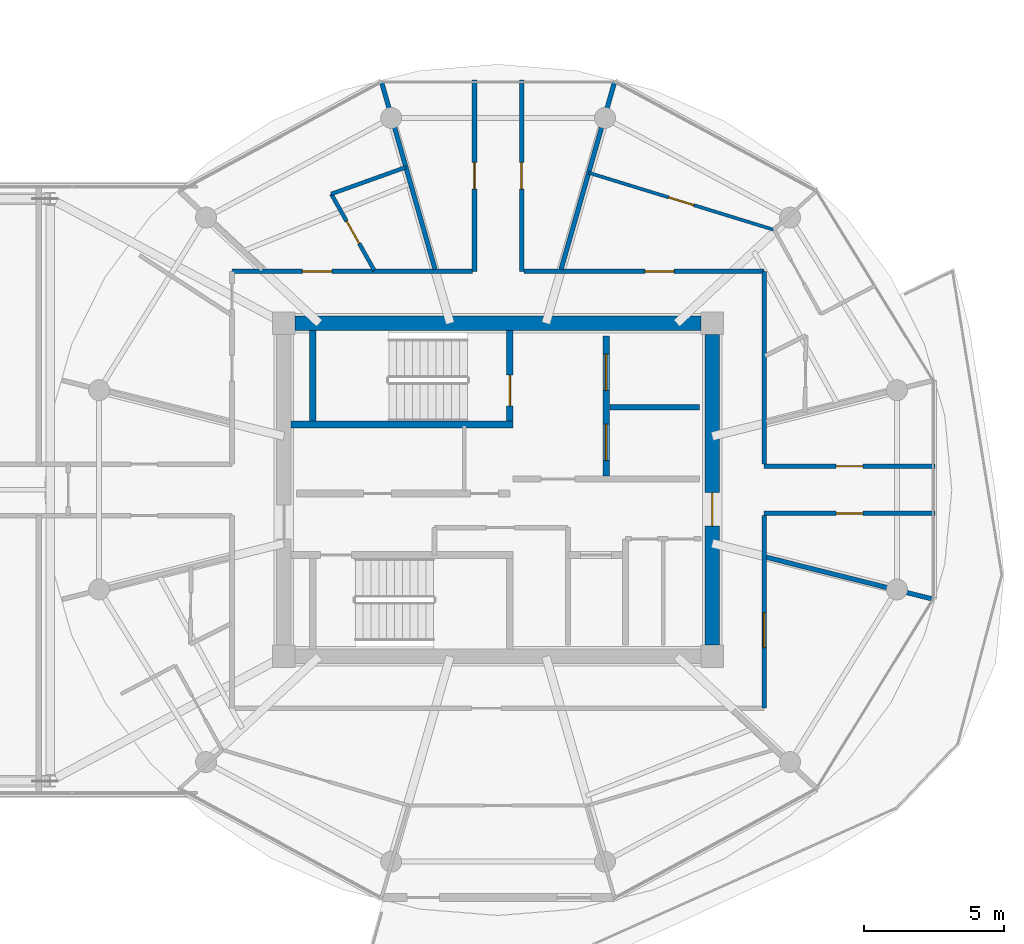
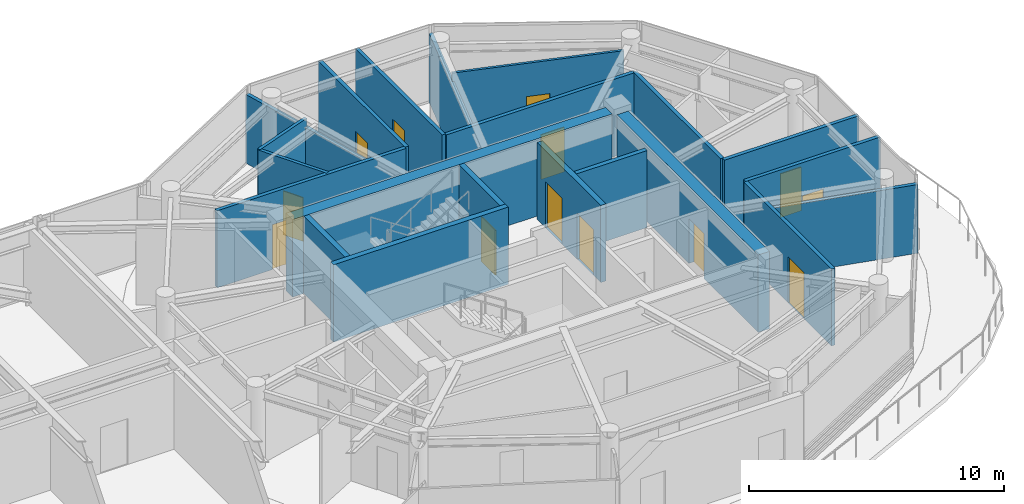
# One storey, part 18 of 24: 21 walls, 13 doors, 13 openings.
"""IFC4 building model written with IfcOpenShell, lengths in metres."""

from ifc_helpers import new_model, si_unit, direction, frame, frame_2d, origin, place, context, subcontext, project, spatial, rectangle, extrude, source, transform, mapped, material, layer, layer_set, type_object, type_shapes, element, fill, save


model = new_model("IFC4")

# Units and contexts
model_context = context("Model", 3, precision=1e-05, world=origin(), true_north=direction((0.0, 1.0)))
body_context = subcontext(model_context, "Body", "Model", "MODEL_VIEW")
ifc_project = project(units=[si_unit("LENGTHUNIT", "METRE"), si_unit("AREAUNIT", "SQUARE_METRE"), si_unit("VOLUMEUNIT", "CUBIC_METRE"), si_unit("PLANEANGLEUNIT", "RADIAN"), si_unit("MASSUNIT", "GRAM", prefix="KILO")], contexts=[model_context])

# Site, building, storey
site_placement = place(None, origin())
site = spatial("IfcSite", under=ifc_project, at=site_placement, CompositionType="ELEMENT")
building_placement = place(site_placement, origin())
building = spatial("IfcBuilding", under=site, at=building_placement, Name="Norrkilde Senior Care Towers", CompositionType="ELEMENT")
storey_placement = place(building_placement, frame((0.0, 0.0, 203.800048828125)))
storey = spatial("IfcBuildingStorey", under=building, at=storey_placement, Name="L63", CompositionType="ELEMENT", Elevation=203.800048828125)

# Wall
ifc_material_1 = material(Name="Concrete C50/60", Category="concrete")
ifc_layer_1 = layer(ifc_material_1, 0.52001953125)
ifc_layer_set_1 = layer_set([ifc_layer_1], Name="Concrete C50/60")
wall_type_1 = type_object("IfcWallType", Name="Core Shear Wall Z4 520", PredefinedType="SHEAR", material=ifc_layer_set_1)
shared_shape_1 = source(origin(), body_context, "Body", "SweptSolid", [
    extrude(rectangle(XDim=14.5, YDim=0.52001953125, at=frame_2d((7.25, 0.0))), origin(), (0.0, 0.0, 1.0), 3.7099609375),
])
wall_1_placement = place(storey_placement, frame((20.75, 5.949951171875, 0.0), z_axis=(0.0, 0.0, 1.0), x_axis=(1.0, 0.0, 0.0)))
element("IfcWall", 1, at=wall_1_placement, inside=storey, type_object=wall_type_1, Name="L63 Core E North Shear Wall", PredefinedType="SHEAR", context=body_context, shape_type="MappedRepresentation", body=[
    mapped(shared_shape_1, transform((0.0, 0.0, 0.0), x_axis=(1.0, 0.0, 0.0), y_axis=(0.0, 1.0, 0.0), z_axis=(0.0, 0.0, 1.0), scale=1.0)),
])

# Wall, opening, door
shared_shape_2 = source(origin(), body_context, "Body", "SweptSolid", [
    extrude(rectangle(XDim=11.10009765625, YDim=0.52001953125, at=frame_2d((5.550048828125, 0.0))), origin(), (0.0, 0.0, 1.0), 3.7099609375),
])
type_shapes(wall_type_1, [shared_shape_1, shared_shape_2])
wall_2_placement = place(storey_placement, frame((35.64990234375, 5.550048828125, 0.0), z_axis=(0.0, 0.0, 1.0), x_axis=(0.0, -1.0, 0.0)))
wall_2 = element("IfcWall", 2, at=wall_2_placement, inside=storey, type_object=wall_type_1, Name="L63 Core E East Shear Wall", PredefinedType="SHEAR", context=body_context, shape_type="MappedRepresentation", body=[
    mapped(shared_shape_2, transform((0.0, 0.0, 0.0), x_axis=(1.0, 0.0, 0.0), y_axis=(0.0, 1.0, 0.0), z_axis=(0.0, 0.0, 1.0), scale=1.0)),
])
opening_1_placement = place(wall_2_placement, frame((5.64990234375, 0.0, 0.0)))
opening_1 = element("IfcOpeningElement", 3, at=opening_1_placement, cuts=wall_2, Name="Opening D-04", PredefinedType="OPENING", context=body_context, shape_type="SweptSolid", body=[
    extrude(rectangle(XDim=1.199951171875, YDim=2.14990234375, at=frame_2d((0.60009765625, 1.074951171875))), frame((0.0, 0.27001953125, 0.0), z_axis=(0.0, -1.0, 0.0), x_axis=(1.0, 0.0, 0.0)), (0.0, 0.0, 1.0), 0.5400390625),
])
ifc_material_2 = material(Name="Galvanised Painted Steel", Category="steel")
door_type_1 = type_object("IfcDoorType", Name="Firefighting Lobby Fire Door 1200x2150", OperationType="NOTDEFINED", PredefinedType="DOOR", material=ifc_material_2)
shared_shape_3 = source(origin(), body_context, "Body", "SweptSolid", [
    extrude(rectangle(XDim=1.199951171875, YDim=2.14990234375, at=frame_2d((0.60009765625, 1.074951171875))), frame((0.0, 0.02490234375, 0.0), z_axis=(0.0, -1.0, 0.0), x_axis=(1.0, 0.0, 0.0)), (0.0, 0.0, 1.0), 0.050048828125),
])
type_shapes(door_type_1, [shared_shape_3])
door_1_placement = place(opening_1_placement, frame((1.199951171875, 0.0, 0.0), z_axis=(0.0, 0.0, 1.0), x_axis=(-1.0, 0.0, 0.0)))
door_1 = element("IfcDoor", 4, at=door_1_placement, inside=storey, type_object=door_type_1, Name="L63 Core E East Portal Door", OperationType="SINGLE_SWING_RIGHT", OverallHeight=2.14990234375, OverallWidth=1.199951171875, PredefinedType="DOOR", context=body_context, shape_type="MappedRepresentation", body=[
    mapped(shared_shape_3, transform((0.0, 0.0, 0.0), x_axis=(1.0, 0.0, 0.0), y_axis=(0.0, 1.0, 0.0), z_axis=(0.0, 0.0, 1.0), scale=1.0)),
])
fill(opening_1, door_1)

# Walls
ifc_material_3 = material(Name="Concrete C45/55", Category="concrete")
ifc_layer_2 = layer(ifc_material_3, 0.239990234375)
ifc_layer_set_2 = layer_set([ifc_layer_2], Name="Concrete C45/55")
wall_type_2 = type_object("IfcWallType", Name="Shaft and Stair Enclosure Wall 240", PredefinedType="PARTITIONING", material=ifc_layer_set_2)
shared_shape_4 = source(origin(), body_context, "Body", "SweptSolid", [
    extrude(rectangle(XDim=7.929931640625, YDim=0.239990234375, at=frame_2d((3.96484375, 0.0))), origin(), (0.0, 0.0, 1.0), 3.7099609375),
])
wall_3_placement = place(storey_placement, frame((20.610107421875, 2.330078125, 0.0), z_axis=(0.0, 0.0, 1.0), x_axis=(1.0, 0.0, 0.0)))
element("IfcWall", 5, at=wall_3_placement, inside=storey, type_object=wall_type_2, Name="WL-INT-L63-E-ST1S", PredefinedType="PARTITIONING", context=body_context, shape_type="MappedRepresentation", body=[
    mapped(shared_shape_4, transform((0.0, 0.0, 0.0), x_axis=(1.0, 0.0, 0.0), y_axis=(0.0, 1.0, 0.0), z_axis=(0.0, 0.0, 1.0), scale=1.0)),
])
shared_shape_5 = source(origin(), body_context, "Body", "SweptSolid", [
    extrude(rectangle(XDim=3.239990234375, YDim=0.239990234375, at=frame_2d((1.6201171875, 0.0))), origin(), (0.0, 0.0, 1.0), 3.7099609375),
])
type_shapes(wall_type_2, [shared_shape_4, shared_shape_5])
wall_4_placement = place(storey_placement, frame((21.3798828125, 2.449951171875, 0.0), z_axis=(0.0, 0.0, 1.0), x_axis=(0.0, 1.0, 0.0)))
element("IfcWall", 6, at=wall_4_placement, inside=storey, type_object=wall_type_2, Name="WL-INT-L63-E-ST1W", PredefinedType="PARTITIONING", context=body_context, shape_type="MappedRepresentation", body=[
    mapped(shared_shape_5, transform((0.0, 0.0, 0.0), x_axis=(1.0, 0.0, 0.0), y_axis=(0.0, 1.0, 0.0), z_axis=(0.0, 0.0, 1.0), scale=1.0)),
])

# Wall, opening, door
wall_5_placement = place(storey_placement, frame((28.419921875, 2.449951171875, 0.0), z_axis=(0.0, 0.0, 1.0), x_axis=(0.0, 1.0, 0.0)))
wall_5 = element("IfcWall", 7, at=wall_5_placement, inside=storey, type_object=wall_type_2, Name="WL-INT-L63-E-ST1E", PredefinedType="PARTITIONING", context=body_context, shape_type="MappedRepresentation", body=[
    mapped(shared_shape_5, transform((0.0, 0.0, 0.0), x_axis=(1.0, 0.0, 0.0), y_axis=(0.0, 1.0, 0.0), z_axis=(0.0, 0.0, 1.0), scale=1.0)),
])
opening_2_placement = place(wall_5_placement, frame((0.550048828125, 0.0, 0.0)))
opening_2 = element("IfcOpeningElement", 8, at=opening_2_placement, cuts=wall_5, Name="Opening D-03", PredefinedType="OPENING", context=body_context, shape_type="SweptSolid", body=[
    extrude(rectangle(XDim=1.10009765625, YDim=2.14990234375, at=frame_2d((0.550048828125, 1.074951171875))), frame((0.0, 0.1298828125, 0.0), z_axis=(0.0, -1.0, 0.0), x_axis=(1.0, 0.0, 0.0)), (0.0, 0.0, 1.0), 0.260009765625),
])
door_type_2 = type_object("IfcDoorType", Name="Stairwell Protected Fire Door 1100x2150", OperationType="NOTDEFINED", PredefinedType="DOOR", material=ifc_material_2)
shared_shape_6 = source(origin(), body_context, "Body", "SweptSolid", [
    extrude(rectangle(XDim=1.10009765625, YDim=2.14990234375, at=frame_2d((0.550048828125, 1.074951171875))), frame((0.0, 0.02490234375, 0.0), z_axis=(0.0, -1.0, 0.0), x_axis=(1.0, 0.0, 0.0)), (0.0, 0.0, 1.0), 0.050048828125),
])
type_shapes(door_type_2, [shared_shape_6])
door_2_placement = place(opening_2_placement, origin())
door_2 = element("IfcDoor", 9, at=door_2_placement, inside=storey, type_object=door_type_2, Name="L63 Stair E1 Fire Door", OperationType="SINGLE_SWING_LEFT", OverallHeight=2.14990234375, OverallWidth=1.10009765625, PredefinedType="DOOR", context=body_context, shape_type="MappedRepresentation", body=[
    mapped(shared_shape_6, transform((0.0, 0.0, 0.0), x_axis=(1.0, 0.0, 0.0), y_axis=(0.0, 1.0, 0.0), z_axis=(0.0, 0.0, 1.0), scale=1.0)),
])
fill(opening_2, door_2)

# Wall, openings, doors
ifc_layer_3 = layer(ifc_material_3, 0.239990234375)
ifc_layer_set_3 = layer_set([ifc_layer_3], Name="Concrete C45/55")
wall_type_3 = type_object("IfcWallType", Name="Lift and Plant Rated Enclosure Partition 240", PredefinedType="PARTITIONING", material=ifc_layer_set_3)
shared_shape_7 = source(origin(), body_context, "Body", "SweptSolid", [
    extrude(rectangle(XDim=5.0, YDim=0.239990234375, at=frame_2d((2.5, 0.0))), origin(), (0.0, 0.0, 1.0), 3.695068359375),
])
type_shapes(wall_type_3, [shared_shape_7])
wall_6_placement = place(storey_placement, frame((31.860107421875, 0.5, 0.0), z_axis=(0.0, 0.0, 1.0), x_axis=(0.0, 1.0, 0.0)))
wall_6 = element("IfcWall", 10, at=wall_6_placement, inside=storey, type_object=wall_type_3, Name="WL-INT-L63-E-FFLE", PredefinedType="PARTITIONING", context=body_context, shape_type="MappedRepresentation", body=[
    mapped(shared_shape_7, transform((0.0, 0.0, 0.0), x_axis=(1.0, 0.0, 0.0), y_axis=(0.0, 1.0, 0.0), z_axis=(0.0, 0.0, 1.0), scale=1.0)),
])
opening_3_placement = place(wall_6_placement, frame((3.050048828125, 0.0, 0.0)))
opening_3 = element("IfcOpeningElement", 11, at=opening_3_placement, cuts=wall_6, Name="Opening LD-02", PredefinedType="OPENING", context=body_context, shape_type="SweptSolid", body=[
    extrude(rectangle(XDim=1.300048828125, YDim=2.199951171875, at=frame_2d((0.64990234375, 1.10009765625))), frame((0.0, 0.1298828125, 0.0), z_axis=(0.0, -1.0, 0.0), x_axis=(1.0, 0.0, 0.0)), (0.0, 0.0, 1.0), 0.260009765625),
])
opening_4_placement = place(wall_6_placement, frame((0.550048828125, 0.0, 0.0)))
opening_4 = element("IfcOpeningElement", 12, at=opening_4_placement, cuts=wall_6, Name="Opening LD-02", PredefinedType="OPENING", context=body_context, shape_type="SweptSolid", body=[
    extrude(rectangle(XDim=1.300048828125, YDim=2.199951171875, at=frame_2d((0.64990234375, 1.10009765625))), frame((0.0, 0.1298828125, 0.0), z_axis=(0.0, -1.0, 0.0), x_axis=(1.0, 0.0, 0.0)), (0.0, 0.0, 1.0), 0.260009765625),
])
ifc_material_4 = material(Name="Stainless Steel", Category="steel")
door_type_3 = type_object("IfcDoorType", Name="Stretcher and FFL Landing Sliding Door 1300x2200", OperationType="NOTDEFINED", PredefinedType="DOOR", material=ifc_material_4)
shared_shape_8 = source(origin(), body_context, "Body", "SweptSolid", [
    extrude(rectangle(XDim=1.300048828125, YDim=2.199951171875, at=frame_2d((0.64990234375, 1.10009765625))), frame((0.0, 0.02490234375, 0.0), z_axis=(0.0, -1.0, 0.0), x_axis=(1.0, 0.0, 0.0)), (0.0, 0.0, 1.0), 0.050048828125),
])
type_shapes(door_type_3, [shared_shape_8])
door_3_placement = place(opening_3_placement, origin())
door_3 = element("IfcDoor", 13, at=door_3_placement, inside=storey, type_object=door_type_3, Name="L63 Firefighting Lift E1 Landing Door", OperationType="SLIDING_TO_LEFT", OverallHeight=2.199951171875, OverallWidth=1.300048828125, PredefinedType="DOOR", context=body_context, shape_type="MappedRepresentation", body=[
    mapped(shared_shape_8, transform((0.0, 0.0, 0.0), x_axis=(1.0, 0.0, 0.0), y_axis=(0.0, 1.0, 0.0), z_axis=(0.0, 0.0, 1.0), scale=1.0)),
])
fill(opening_3, door_3)
door_4_placement = place(opening_4_placement, origin())
door_4 = element("IfcDoor", 14, at=door_4_placement, inside=storey, type_object=door_type_3, Name="L63 Stretcher Lift E1 Landing Door", OperationType="SLIDING_TO_RIGHT", OverallHeight=2.199951171875, OverallWidth=1.300048828125, PredefinedType="DOOR", context=body_context, shape_type="MappedRepresentation", body=[
    mapped(shared_shape_8, transform((0.0, 0.0, 0.0), x_axis=(1.0, 0.0, 0.0), y_axis=(0.0, 1.0, 0.0), z_axis=(0.0, 0.0, 1.0), scale=1.0)),
])
fill(opening_4, door_4)

# Wall
ifc_layer_4 = layer(ifc_material_3, 0.199951171875)
ifc_layer_set_4 = layer_set([ifc_layer_4], Name="Concrete C45/55")
wall_type_4 = type_object("IfcWallType", Name="Shaft Division and Plant Partition 200", PredefinedType="PARTITIONING", material=ifc_layer_set_4)
shared_shape_9 = source(origin(), body_context, "Body", "SweptSolid", [
    extrude(rectangle(XDim=3.199951171875, YDim=0.199951171875, at=frame_2d((1.60009765625, 0.0))), origin(), (0.0, 0.0, 1.0), 3.695068359375),
])
type_shapes(wall_type_4, [shared_shape_9])
wall_7_placement = place(storey_placement, frame((32.0, 2.949951171875, 0.0), z_axis=(0.0, 0.0, 1.0), x_axis=(1.0, 0.0, 0.0)))
element("IfcWall", 15, at=wall_7_placement, inside=storey, type_object=wall_type_4, Name="WL-INT-L63-E-FFLDIV", PredefinedType="PARTITIONING", context=body_context, shape_type="MappedRepresentation", body=[
    mapped(shared_shape_9, transform((0.0, 0.0, 0.0), x_axis=(1.0, 0.0, 0.0), y_axis=(0.0, 1.0, 0.0), z_axis=(0.0, 0.0, 1.0), scale=1.0)),
])

# Wall, opening, door
ifc_material_5 = material(Name="Gypsum Acoustic Board")
ifc_layer_5 = layer(ifc_material_5, 0.1650390625)
ifc_layer_set_5 = layer_set([ifc_layer_5], Name="Gypsum Acoustic Board")
wall_type_5 = type_object("IfcWallType", Name="Corridor Rated Partition 165", PredefinedType="PARTITIONING", material=ifc_layer_set_5)
shared_shape_10 = source(origin(), body_context, "Body", "SweptSolid", [
    extrude(rectangle(XDim=8.580078125, YDim=0.1650390625, at=frame_2d((4.2900390625, 0.0))), origin(), (0.0, 0.0, 1.0), 3.695068359375),
])
wall_8_placement = place(storey_placement, frame((18.5, 7.800048828125, 0.0), z_axis=(0.0, 0.0, 1.0), x_axis=(1.0, 0.0, 0.0)))
wall_8 = element("IfcWall", 16, at=wall_8_placement, inside=storey, type_object=wall_type_5, Name="WL-INT-L63-E-CRW-N-0", PredefinedType="PARTITIONING", context=body_context, shape_type="MappedRepresentation", body=[
    mapped(shared_shape_10, transform((0.0, 0.0, 0.0), x_axis=(1.0, 0.0, 0.0), y_axis=(0.0, 1.0, 0.0), z_axis=(0.0, 0.0, 1.0), scale=1.0)),
])
opening_5_placement = place(wall_8_placement, frame((2.5146484375, 0.0, 0.0)))
opening_5 = element("IfcOpeningElement", 17, at=opening_5_placement, cuts=wall_8, Name="Opening D-06", PredefinedType="OPENING", context=body_context, shape_type="SweptSolid", body=[
    extrude(rectangle(XDim=1.050048828125, YDim=2.14990234375, at=frame_2d((0.52490234375, 1.074951171875))), frame((0.0, 0.092529296875, 0.0), z_axis=(0.0, -1.0, 0.0), x_axis=(1.0, 0.0, 0.0)), (0.0, 0.0, 1.0), 0.18505859375),
])
ifc_material_6 = material(Name="Nordic Ash Timber", Category="wood")
door_type_4 = type_object("IfcDoorType", Name="Apartment Entrance Fire Door 1050x2150", OperationType="NOTDEFINED", PredefinedType="DOOR", material=ifc_material_6)
shared_shape_11 = source(origin(), body_context, "Body", "SweptSolid", [
    extrude(rectangle(XDim=1.050048828125, YDim=2.14990234375, at=frame_2d((0.52490234375, 1.074951171875))), frame((0.0, 0.02490234375, 0.0), z_axis=(0.0, -1.0, 0.0), x_axis=(1.0, 0.0, 0.0)), (0.0, 0.0, 1.0), 0.050048828125),
])
type_shapes(door_type_4, [shared_shape_11])
door_5_placement = place(opening_5_placement, frame((1.050048828125, 0.0, 0.0), z_axis=(0.0, 0.0, 1.0), x_axis=(-1.0, 0.0, 0.0)))
door_5 = element("IfcDoor", 18, at=door_5_placement, inside=storey, type_object=door_type_4, Name="L63 Studio 63B Entrance Door", OperationType="SINGLE_SWING_RIGHT", OverallHeight=2.14990234375, OverallWidth=1.050048828125, PredefinedType="DOOR", context=body_context, shape_type="MappedRepresentation", body=[
    mapped(shared_shape_11, transform((0.0, 0.0, 0.0), x_axis=(1.0, 0.0, 0.0), y_axis=(0.0, 1.0, 0.0), z_axis=(0.0, 0.0, 1.0), scale=1.0)),
])
fill(opening_5, door_5)

wall_9_placement = place(storey_placement, frame((28.919921875, 7.800048828125, 0.0), z_axis=(0.0, 0.0, 1.0), x_axis=(1.0, 0.0, 0.0)))
wall_9 = element("IfcWall", 19, at=wall_9_placement, inside=storey, type_object=wall_type_5, Name="WL-INT-L63-E-CRW-N-1", PredefinedType="PARTITIONING", context=body_context, shape_type="MappedRepresentation", body=[
    mapped(shared_shape_10, transform((0.0, 0.0, 0.0), x_axis=(1.0, 0.0, 0.0), y_axis=(0.0, 1.0, 0.0), z_axis=(0.0, 0.0, 1.0), scale=1.0)),
])
opening_6_placement = place(wall_9_placement, frame((4.31982421875, 0.0, 0.0)))
opening_6 = element("IfcOpeningElement", 20, at=opening_6_placement, cuts=wall_9, Name="Opening D-06", PredefinedType="OPENING", context=body_context, shape_type="SweptSolid", body=[
    extrude(rectangle(XDim=1.050048828125, YDim=2.14990234375, at=frame_2d((0.52490234375, 1.074951171875))), frame((0.0, 0.092529296875, 0.0), z_axis=(0.0, -1.0, 0.0), x_axis=(1.0, 0.0, 0.0)), (0.0, 0.0, 1.0), 0.18505859375),
])
door_6_placement = place(opening_6_placement, frame((1.050048828125, 0.0, 0.0), z_axis=(0.0, 0.0, 1.0), x_axis=(-1.0, 0.0, 0.0)))
door_6 = element("IfcDoor", 21, at=door_6_placement, inside=storey, type_object=door_type_4, Name="Apartment 63A Entrance Door", OperationType="SINGLE_SWING_LEFT", OverallHeight=2.14990234375, OverallWidth=1.050048828125, PredefinedType="DOOR", context=body_context, shape_type="MappedRepresentation", body=[
    mapped(shared_shape_11, transform((0.0, 0.0, 0.0), x_axis=(1.0, 0.0, 0.0), y_axis=(0.0, 1.0, 0.0), z_axis=(0.0, 0.0, 1.0), scale=1.0)),
])
fill(opening_6, door_6)

# Wall
shared_shape_12 = source(origin(), body_context, "Body", "SweptSolid", [
    extrude(rectangle(XDim=6.880126953125, YDim=0.1650390625, at=frame_2d((3.43994140625, 0.0))), origin(), (0.0, 0.0, 1.0), 3.695068359375),
])
wall_10_placement = place(storey_placement, frame((37.5, 7.800048828125, 0.0), z_axis=(0.0, 0.0, 1.0), x_axis=(0.0, -1.0, 0.0)))
element("IfcWall", 22, at=wall_10_placement, inside=storey, type_object=wall_type_5, Name="WL-INT-L63-E-CRW-E-0", PredefinedType="PARTITIONING", context=body_context, shape_type="MappedRepresentation", body=[
    mapped(shared_shape_12, transform((0.0, 0.0, 0.0), x_axis=(1.0, 0.0, 0.0), y_axis=(0.0, 1.0, 0.0), z_axis=(0.0, 0.0, 1.0), scale=1.0)),
])

# Wall, opening, door
wall_11_placement = place(storey_placement, frame((37.5, -0.919921875, 0.0), z_axis=(0.0, 0.0, 1.0), x_axis=(0.0, -1.0, 0.0)))
wall_11 = element("IfcWall", 23, at=wall_11_placement, inside=storey, type_object=wall_type_5, Name="WL-INT-L63-E-CRW-E-1", PredefinedType="PARTITIONING", context=body_context, shape_type="MappedRepresentation", body=[
    mapped(shared_shape_12, transform((0.0, 0.0, 0.0), x_axis=(1.0, 0.0, 0.0), y_axis=(0.0, 1.0, 0.0), z_axis=(0.0, 0.0, 1.0), scale=1.0)),
])
opening_7_placement = place(wall_11_placement, frame((3.46435546875, 0.0, 0.0)))
opening_7 = element("IfcOpeningElement", 24, at=opening_7_placement, cuts=wall_11, Name="Opening D-05", PredefinedType="OPENING", context=body_context, shape_type="SweptSolid", body=[
    extrude(rectangle(XDim=1.25, YDim=2.199951171875, at=frame_2d((0.625, 1.10009765625))), frame((0.0, 0.092529296875, 0.0), z_axis=(0.0, -1.0, 0.0), x_axis=(1.0, 0.0, 0.0)), (0.0, 0.0, 1.0), 0.18505859375),
])
door_type_5 = type_object("IfcDoorType", Name="Care Bedroom Bariatric Door 1250x2200", OperationType="NOTDEFINED", PredefinedType="DOOR", material=ifc_material_6)
shared_shape_13 = source(origin(), body_context, "Body", "SweptSolid", [
    extrude(rectangle(XDim=1.25, YDim=2.199951171875, at=frame_2d((0.625, 1.10009765625))), frame((0.0, 0.02490234375, 0.0), z_axis=(0.0, -1.0, 0.0), x_axis=(1.0, 0.0, 0.0)), (0.0, 0.0, 1.0), 0.050048828125),
])
type_shapes(door_type_5, [shared_shape_13])
door_7_placement = place(opening_7_placement, frame((1.25, 0.0, 0.0), z_axis=(0.0, 0.0, 1.0), x_axis=(-1.0, 0.0, 0.0)))
door_7 = element("IfcDoor", 25, at=door_7_placement, inside=storey, type_object=door_type_5, Name="L63 Senior Wellness Library Lounge Door", OperationType="SINGLE_SWING_LEFT", OverallHeight=2.199951171875, OverallWidth=1.25, PredefinedType="DOOR", context=body_context, shape_type="MappedRepresentation", body=[
    mapped(shared_shape_13, transform((0.0, 0.0, 0.0), x_axis=(1.0, 0.0, 0.0), y_axis=(0.0, 1.0, 0.0), z_axis=(0.0, 0.0, 1.0), scale=1.0)),
])
fill(opening_7, door_7)

# Walls
shared_shape_14 = source(origin(), body_context, "Body", "SweptSolid", [
    extrude(rectangle(XDim=6.973876953125, YDim=0.1650390625, at=frame_2d((3.48681640625, 0.0))), origin(), (0.0, 0.0, 1.0), 3.294921875),
])
for number, where, z_axis, x_axis, name in (
    (26, (30.251220703125, 7.8798828125, 0.0), (0.0, 0.0, 1.0), (0.274707256801, 0.961527910703, 0.0), "WL-INT-L63-E-DEM-02-0"),
    (27, (25.748779296875, 7.8798828125, 0.0), (0.0, 0.0, 1.0), (-0.274707256801, 0.961527910703, 0.0), "WL-INT-L63-E-DEM-03-0"),
):
    element("IfcWall", number, at=place(storey_placement, frame(where, z_axis=z_axis, x_axis=x_axis)), inside=storey, type_object=wall_type_5, Name=name, PredefinedType="PARTITIONING", context=body_context, shape_type="MappedRepresentation", body=[
        mapped(shared_shape_14, transform((0.0, 0.0, 0.0), x_axis=(1.0, 0.0, 0.0), y_axis=(0.0, 1.0, 0.0), z_axis=(0.0, 0.0, 1.0), scale=1.0)),
    ])
shared_shape_15 = source(origin(), body_context, "Body", "SweptSolid", [
    extrude(rectangle(XDim=6.1572265625, YDim=0.1650390625, at=frame_2d((3.07861328125, 0.0))), origin(), (0.0, 0.0, 1.0), 3.294921875),
])
wall_12_placement = place(storey_placement, frame((37.580078125, -2.407470703125, 0.0), z_axis=(0.0, 0.0, 1.0), x_axis=(0.969840867184, -0.243738984038, 0.0)))
element("IfcWall", 28, at=wall_12_placement, inside=storey, type_object=wall_type_5, Name="WL-INT-L63-E-DEM-11-0", PredefinedType="PARTITIONING", context=body_context, shape_type="MappedRepresentation", body=[
    mapped(shared_shape_15, transform((0.0, 0.0, 0.0), x_axis=(1.0, 0.0, 0.0), y_axis=(0.0, 1.0, 0.0), z_axis=(0.0, 0.0, 1.0), scale=1.0)),
])

# Wall, opening, door
shared_shape_16 = source(origin(), body_context, "Body", "SweptSolid", [
    extrude(rectangle(XDim=6.83544921875, YDim=0.1650390625, at=frame_2d((3.417724609375, 0.0))), origin(), (0.0, 0.0, 1.0), 3.695068359375),
])
wall_13_placement = place(storey_placement, frame((27.159912109375, 7.800048828125, 0.0), z_axis=(0.0, 0.0, 1.0), x_axis=(0.0, 1.0, 0.0)))
wall_13 = element("IfcWall", 29, at=wall_13_placement, inside=storey, type_object=wall_type_5, Name="WL-INT-L63-E-SPK-N1-0", PredefinedType="PARTITIONING", context=body_context, shape_type="MappedRepresentation", body=[
    mapped(shared_shape_16, transform((0.0, 0.0, 0.0), x_axis=(1.0, 0.0, 0.0), y_axis=(0.0, 1.0, 0.0), z_axis=(0.0, 0.0, 1.0), scale=1.0)),
])
opening_8_placement = place(wall_13_placement, frame((2.942626953125, 0.0, 0.0)))
opening_8 = element("IfcOpeningElement", 30, at=opening_8_placement, cuts=wall_13, Name="Opening D-07", PredefinedType="OPENING", context=body_context, shape_type="SweptSolid", body=[
    extrude(rectangle(XDim=0.949951171875, YDim=2.10009765625, at=frame_2d((0.47509765625, 1.050048828125))), frame((0.0, 0.092529296875, 0.0), z_axis=(0.0, -1.0, 0.0), x_axis=(1.0, 0.0, 0.0)), (0.0, 0.0, 1.0), 0.18505859375),
])
door_type_6 = type_object("IfcDoorType", Name="Internal Suite Bedroom Door 950x2100", OperationType="NOTDEFINED", PredefinedType="DOOR", material=ifc_material_6)
shared_shape_17 = source(origin(), body_context, "Body", "SweptSolid", [
    extrude(rectangle(XDim=0.949951171875, YDim=2.10009765625, at=frame_2d((0.47509765625, 1.050048828125))), frame((0.0, 0.02490234375, 0.0), z_axis=(0.0, -1.0, 0.0), x_axis=(1.0, 0.0, 0.0)), (0.0, 0.0, 1.0), 0.050048828125),
])
type_shapes(door_type_6, [shared_shape_17])
door_8_placement = place(opening_8_placement, frame((0.949951171875, 0.0, 0.0), z_axis=(0.0, 0.0, 1.0), x_axis=(-1.0, 0.0, 0.0)))
door_8 = element("IfcDoor", 31, at=door_8_placement, inside=storey, type_object=door_type_6, Name="L63 Sun Reading Lounge 3 Door", OperationType="SINGLE_SWING_RIGHT", OverallHeight=2.10009765625, OverallWidth=0.949951171875, PredefinedType="DOOR", context=body_context, shape_type="MappedRepresentation", body=[
    mapped(shared_shape_17, transform((0.0, 0.0, 0.0), x_axis=(1.0, 0.0, 0.0), y_axis=(0.0, 1.0, 0.0), z_axis=(0.0, 0.0, 1.0), scale=1.0)),
])
fill(opening_8, door_8)

wall_14_placement = place(storey_placement, frame((28.840087890625, 14.635498046875, 0.0), z_axis=(0.0, 0.0, 1.0), x_axis=(0.0, -1.0, 0.0)))
wall_14 = element("IfcWall", 32, at=wall_14_placement, inside=storey, type_object=wall_type_5, Name="WL-INT-L63-E-SPK-N2-0", PredefinedType="PARTITIONING", context=body_context, shape_type="MappedRepresentation", body=[
    mapped(shared_shape_16, transform((0.0, 0.0, 0.0), x_axis=(1.0, 0.0, 0.0), y_axis=(0.0, 1.0, 0.0), z_axis=(0.0, 0.0, 1.0), scale=1.0)),
])
opening_9_placement = place(wall_14_placement, frame((2.942626953125, 0.0, 0.0)))
opening_9 = element("IfcOpeningElement", 33, at=opening_9_placement, cuts=wall_14, Name="Opening D-07", PredefinedType="OPENING", context=body_context, shape_type="SweptSolid", body=[
    extrude(rectangle(XDim=0.949951171875, YDim=2.10009765625, at=frame_2d((0.47509765625, 1.050048828125))), frame((0.0, 0.092529296875, 0.0), z_axis=(0.0, -1.0, 0.0), x_axis=(1.0, 0.0, 0.0)), (0.0, 0.0, 1.0), 0.18505859375),
])
door_9_placement = place(opening_9_placement, frame((0.949951171875, 0.0, 0.0), z_axis=(0.0, 0.0, 1.0), x_axis=(-1.0, 0.0, 0.0)))
door_9 = element("IfcDoor", 34, at=door_9_placement, inside=storey, type_object=door_type_6, Name="L63 Sun Reading Lounge 4 Door", OperationType="SINGLE_SWING_LEFT", OverallHeight=2.10009765625, OverallWidth=0.949951171875, PredefinedType="DOOR", context=body_context, shape_type="MappedRepresentation", body=[
    mapped(shared_shape_17, transform((0.0, 0.0, 0.0), x_axis=(1.0, 0.0, 0.0), y_axis=(0.0, 1.0, 0.0), z_axis=(0.0, 0.0, 1.0), scale=1.0)),
])
fill(opening_9, door_9)

shared_shape_18 = source(origin(), body_context, "Body", "SweptSolid", [
    extrude(rectangle(XDim=6.101318359375, YDim=0.1650390625, at=frame_2d((3.05078125, 0.0))), origin(), (0.0, 0.0, 1.0), 3.695068359375),
])
type_shapes(wall_type_5, [shared_shape_10, shared_shape_12, shared_shape_14, shared_shape_15, shared_shape_16, shared_shape_18])
wall_15_placement = place(storey_placement, frame((37.5, 0.840087890625, 0.0), z_axis=(0.0, 0.0, 1.0), x_axis=(1.0, 0.0, 0.0)))
wall_15 = element("IfcWall", 35, at=wall_15_placement, inside=storey, type_object=wall_type_5, Name="WL-INT-L63-E-SPK-E1-0", PredefinedType="PARTITIONING", context=body_context, shape_type="MappedRepresentation", body=[
    mapped(shared_shape_18, transform((0.0, 0.0, 0.0), x_axis=(1.0, 0.0, 0.0), y_axis=(0.0, 1.0, 0.0), z_axis=(0.0, 0.0, 1.0), scale=1.0)),
])
opening_10_placement = place(wall_15_placement, frame((2.57568359375, 0.0, 0.0)))
opening_10 = element("IfcOpeningElement", 36, at=opening_10_placement, cuts=wall_15, Name="Opening D-07", PredefinedType="OPENING", context=body_context, shape_type="SweptSolid", body=[
    extrude(rectangle(XDim=0.949951171875, YDim=2.10009765625, at=frame_2d((0.47509765625, 1.050048828125))), frame((0.0, 0.092529296875, 0.0), z_axis=(0.0, -1.0, 0.0), x_axis=(1.0, 0.0, 0.0)), (0.0, 0.0, 1.0), 0.18505859375),
])
door_10_placement = place(opening_10_placement, frame((0.949951171875, 0.0, 0.0), z_axis=(0.0, 0.0, 1.0), x_axis=(-1.0, 0.0, 0.0)))
door_10 = element("IfcDoor", 37, at=door_10_placement, inside=storey, type_object=door_type_6, Name="L63 Sun Reading Lounge 6 Door", OperationType="SINGLE_SWING_LEFT", OverallHeight=2.10009765625, OverallWidth=0.949951171875, PredefinedType="DOOR", context=body_context, shape_type="MappedRepresentation", body=[
    mapped(shared_shape_17, transform((0.0, 0.0, 0.0), x_axis=(1.0, 0.0, 0.0), y_axis=(0.0, 1.0, 0.0), z_axis=(0.0, 0.0, 1.0), scale=1.0)),
])
fill(opening_10, door_10)

wall_16_placement = place(storey_placement, frame((43.601318359375, -0.840087890625, 0.0), z_axis=(0.0, 0.0, 1.0), x_axis=(-1.0, 0.0, 0.0)))
wall_16 = element("IfcWall", 38, at=wall_16_placement, inside=storey, type_object=wall_type_5, Name="WL-INT-L63-E-SPK-E2-0", PredefinedType="PARTITIONING", context=body_context, shape_type="MappedRepresentation", body=[
    mapped(shared_shape_18, transform((0.0, 0.0, 0.0), x_axis=(1.0, 0.0, 0.0), y_axis=(0.0, 1.0, 0.0), z_axis=(0.0, 0.0, 1.0), scale=1.0)),
])
opening_11_placement = place(wall_16_placement, frame((2.57568359375, 0.0, 0.0)))
opening_11 = element("IfcOpeningElement", 39, at=opening_11_placement, cuts=wall_16, Name="Opening D-07", PredefinedType="OPENING", context=body_context, shape_type="SweptSolid", body=[
    extrude(rectangle(XDim=0.949951171875, YDim=2.10009765625, at=frame_2d((0.47509765625, 1.050048828125))), frame((0.0, 0.092529296875, 0.0), z_axis=(0.0, -1.0, 0.0), x_axis=(1.0, 0.0, 0.0)), (0.0, 0.0, 1.0), 0.18505859375),
])
door_11_placement = place(opening_11_placement, frame((0.949951171875, 0.0, 0.0), z_axis=(0.0, 0.0, 1.0), x_axis=(-1.0, 0.0, 0.0)))
door_11 = element("IfcDoor", 40, at=door_11_placement, inside=storey, type_object=door_type_6, Name="L63 Sun Reading Lounge 5 Door", OperationType="SINGLE_SWING_RIGHT", OverallHeight=2.10009765625, OverallWidth=0.949951171875, PredefinedType="DOOR", context=body_context, shape_type="MappedRepresentation", body=[
    mapped(shared_shape_17, transform((0.0, 0.0, 0.0), x_axis=(1.0, 0.0, 0.0), y_axis=(0.0, 1.0, 0.0), z_axis=(0.0, 0.0, 1.0), scale=1.0)),
])
fill(opening_11, door_11)

ifc_layer_6 = layer(ifc_material_5, 0.139892578125)
ifc_layer_set_6 = layer_set([ifc_layer_6], Name="Gypsum Acoustic Board")
wall_type_6 = type_object("IfcWallType", Name="En-suite Wet Room Wall 140", PredefinedType="PARTITIONING", material=ifc_layer_set_6)
shared_shape_19 = source(origin(), body_context, "Body", "SweptSolid", [
    extrude(rectangle(XDim=3.14013671875, YDim=0.139892578125, at=frame_2d((1.570068359375, 0.0))), origin(), (0.0, 0.0, 1.0), 3.695068359375),
])
wall_17_placement = place(storey_placement, frame((23.5849609375, 7.830078125, 0.0), z_axis=(0.0, 0.0, 1.0), x_axis=(-0.491132137966, 0.871085083707, 0.0)))
wall_17 = element("IfcWall", 41, at=wall_17_placement, inside=storey, type_object=wall_type_6, Name="WL-INT-L63-E-ES-03", PredefinedType="PARTITIONING", context=body_context, shape_type="MappedRepresentation", body=[
    mapped(shared_shape_19, transform((0.0, 0.0, 0.0), x_axis=(1.0, 0.0, 0.0), y_axis=(0.0, 1.0, 0.0), z_axis=(0.0, 0.0, 1.0), scale=1.0)),
])
opening_12_placement = place(wall_17_placement, frame((1.110107421875, 0.0, 0.0)))
opening_12 = element("IfcOpeningElement", 42, at=opening_12_placement, cuts=wall_17, Name="Opening D-08", PredefinedType="OPENING", context=body_context, shape_type="SweptSolid", body=[
    extrude(rectangle(XDim=0.919921875, YDim=2.10009765625, at=frame_2d((0.4599609375, 1.050048828125))), frame((0.0, 0.079833984375, 0.0), z_axis=(0.0, -1.0, 0.0), x_axis=(1.0, 0.0, 0.0)), (0.0, 0.0, 1.0), 0.159912109375),
])
door_type_7 = type_object("IfcDoorType", Name="Accessible Wet Room Door 920x2100", OperationType="NOTDEFINED", PredefinedType="DOOR", material=ifc_material_6)
shared_shape_20 = source(origin(), body_context, "Body", "SweptSolid", [
    extrude(rectangle(XDim=0.919921875, YDim=2.10009765625, at=frame_2d((0.4599609375, 1.050048828125))), frame((0.0, 0.02490234375, 0.0), z_axis=(0.0, -1.0, 0.0), x_axis=(1.0, 0.0, 0.0)), (0.0, 0.0, 1.0), 0.050048828125),
])
type_shapes(door_type_7, [shared_shape_20])
door_12_placement = place(opening_12_placement, origin())
door_12 = element("IfcDoor", 43, at=door_12_placement, inside=storey, type_object=door_type_7, Name="L63 Studio 63B Bathroom Door", OperationType="SINGLE_SWING_LEFT", OverallHeight=2.10009765625, OverallWidth=0.919921875, PredefinedType="DOOR", context=body_context, shape_type="MappedRepresentation", body=[
    mapped(shared_shape_20, transform((0.0, 0.0, 0.0), x_axis=(1.0, 0.0, 0.0), y_axis=(0.0, 1.0, 0.0), z_axis=(0.0, 0.0, 1.0), scale=1.0)),
])
fill(opening_12, door_12)

# Wall
shared_shape_21 = source(origin(), body_context, "Body", "SweptSolid", [
    extrude(rectangle(XDim=2.8310546875, YDim=0.139892578125, at=frame_2d((1.41552734375, 0.0))), origin(), (0.0, 0.0, 1.0), 3.695068359375),
])
type_shapes(wall_type_6, [shared_shape_19, shared_shape_21])
wall_18_placement = place(storey_placement, frame((22.042724609375, 10.5654296875, 0.0), z_axis=(0.0, 0.0, 1.0), x_axis=(0.941411742535, 0.337259441701, 0.0)))
element("IfcWall", 44, at=wall_18_placement, inside=storey, type_object=wall_type_6, Name="WL-INT-L63-E-EF-03", PredefinedType="PARTITIONING", context=body_context, shape_type="MappedRepresentation", body=[
    mapped(shared_shape_21, transform((0.0, 0.0, 0.0), x_axis=(1.0, 0.0, 0.0), y_axis=(0.0, 1.0, 0.0), z_axis=(0.0, 0.0, 1.0), scale=1.0)),
])

# Wall, opening, door
ifc_layer_7 = layer(ifc_material_5, 0.114990234375)
ifc_layer_set_7 = layer_set([ifc_layer_7], Name="Gypsum Acoustic Board")
wall_type_7 = type_object("IfcWallType", Name="Internal Room Partition 115", PredefinedType="PARTITIONING", material=ifc_layer_set_7)
shared_shape_22 = source(origin(), body_context, "Body", "SweptSolid", [
    extrude(rectangle(XDim=6.919189453125, YDim=0.114990234375, at=frame_2d((3.45947265625, 0.0))), origin(), (0.0, 0.0, 1.0), 3.695068359375),
])
type_shapes(wall_type_7, [shared_shape_22])
wall_19_placement = place(storey_placement, frame((37.8486328125, 9.287109375, 0.0), z_axis=(0.0, 0.0, 1.0), x_axis=(-0.955678249072, 0.294413118341, 0.0)))
wall_19 = element("IfcWall", 45, at=wall_19_placement, inside=storey, type_object=wall_type_7, Name="WL-INT-L63-E-UBC-00-1", PredefinedType="PARTITIONING", context=body_context, shape_type="MappedRepresentation", body=[
    mapped(shared_shape_22, transform((0.0, 0.0, 0.0), x_axis=(1.0, 0.0, 0.0), y_axis=(0.0, 1.0, 0.0), z_axis=(0.0, 0.0, 1.0), scale=1.0)),
])
opening_13_placement = place(wall_19_placement, frame((2.984619140625, 0.0, 0.0)))
opening_13 = element("IfcOpeningElement", 46, at=opening_13_placement, cuts=wall_19, Name="Opening D-07", PredefinedType="OPENING", context=body_context, shape_type="SweptSolid", body=[
    extrude(rectangle(XDim=0.949951171875, YDim=2.10009765625, at=frame_2d((0.47509765625, 1.050048828125))), frame((0.0, 0.0673828125, 0.0), z_axis=(0.0, -1.0, 0.0), x_axis=(1.0, 0.0, 0.0)), (0.0, 0.0, 1.0), 0.135009765625),
])
door_13_placement = place(opening_13_placement, origin())
door_13 = element("IfcDoor", 47, at=door_13_placement, inside=storey, type_object=door_type_6, Name="Apartment 63A Bedroom 1 Door", OperationType="SINGLE_SWING_RIGHT", OverallHeight=2.10009765625, OverallWidth=0.949951171875, PredefinedType="DOOR", context=body_context, shape_type="MappedRepresentation", body=[
    mapped(shared_shape_17, transform((0.0, 0.0, 0.0), x_axis=(1.0, 0.0, 0.0), y_axis=(0.0, 1.0, 0.0), z_axis=(0.0, 0.0, 1.0), scale=1.0)),
])
fill(opening_13, door_13)

save(model, "model.ifc")
